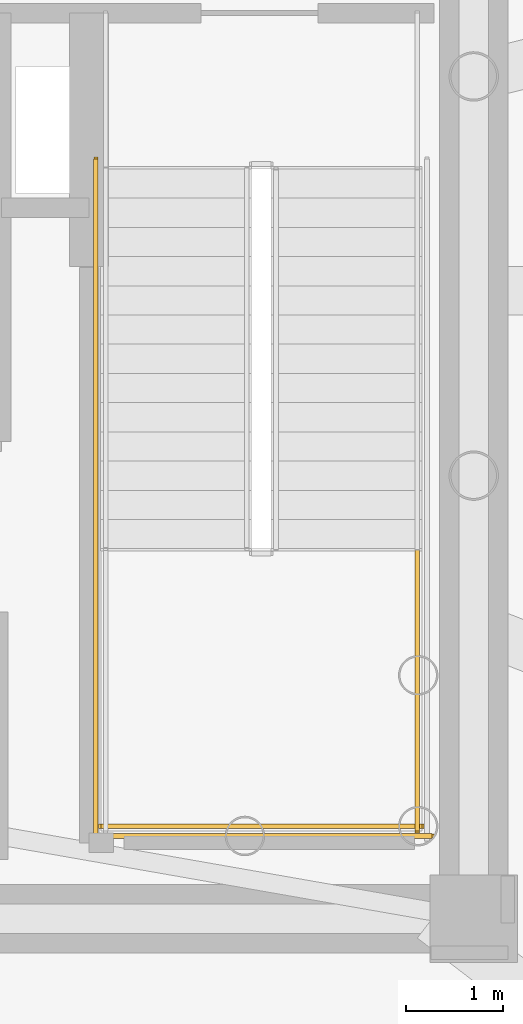
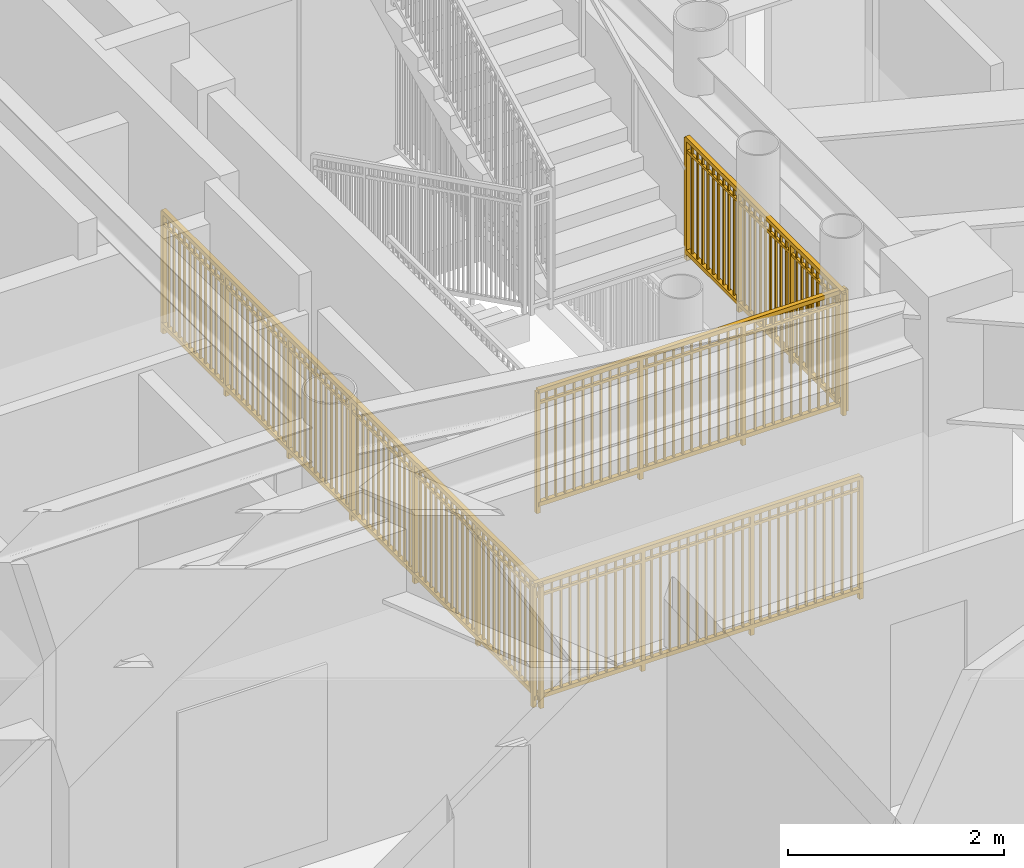
# One storey, part 21 of 26: 4 railings.
"""IFC4 building model written with IfcOpenShell, lengths in metres."""

from ifc_helpers import new_model, si_unit, direction, frame, origin, origin_2d, place, context, subcontext, project, spatial, rectangle, extrude, source, transform, mapped, material, type_object, element, save


model = new_model("IFC4")

# Units and contexts
model_context = context("Model", 3, precision=1e-05, world=origin(), true_north=direction((0.0, 1.0)))
body_context = subcontext(model_context, "Body", "Model", "MODEL_VIEW")
ifc_project = project(units=[si_unit("LENGTHUNIT", "METRE"), si_unit("AREAUNIT", "SQUARE_METRE"), si_unit("VOLUMEUNIT", "CUBIC_METRE"), si_unit("PLANEANGLEUNIT", "RADIAN"), si_unit("MASSUNIT", "GRAM", prefix="KILO")], contexts=[model_context])

# Site, building, storey
site_placement = place(None, origin())
site = spatial("IfcSite", under=ifc_project, at=site_placement, CompositionType="ELEMENT")
building_placement = place(site_placement, origin())
building = spatial("IfcBuilding", under=site, at=building_placement, Name="Linh Dai School and Residence Tower", CompositionType="ELEMENT")
storey_placement = place(building_placement, frame((0.0, 0.0, 346.800048828125)))
storey = spatial("IfcBuildingStorey", under=building, at=storey_placement, Name="L86", CompositionType="ELEMENT", Elevation=346.800048828125)

# Railings
ifc_material = material(Name="Structural Steel S355JR", Category="steel")
railing_type = type_object("IfcRailingType", Name="RL-ST-GUARD-1400", PredefinedType="GUARDRAIL", material=ifc_material)
shared_shape_1 = source(origin(), body_context, "Body", "SweptSolid", [
    extrude(rectangle(XDim=0.048095703125, YDim=0.048095703125, at=origin_2d()), frame((0.0, 0.0, 1.3759765625), z_axis=(1.0, 0.0, 0.0), x_axis=(0.0, 1.0, 0.0)), (0.0, 0.0, 1.0), 3.300048828125),
    extrude(rectangle(XDim=0.048095703125, YDim=0.048095703125, at=origin_2d()), frame((0.0, 0.0, 0.10009765625), z_axis=(1.0, 0.0, 0.0), x_axis=(0.0, 1.0, 0.0)), (0.0, 0.0, 1.0), 3.300048828125),
    extrude(rectangle(XDim=0.030029296875, YDim=0.030029296875, at=origin_2d()), frame((0.0, 0.0, 1.239990234375), z_axis=(1.0, 0.0, 0.0), x_axis=(0.0, 1.0, 0.0)), (0.0, 0.0, 1.0), 3.300048828125),
    extrude(rectangle(XDim=0.02001953125, YDim=0.02001953125, at=origin_2d()), frame((0.09716796875, 0.0, 0.10009765625)), (0.0, 0.0, 1.0), 1.251708984375),
    extrude(rectangle(XDim=0.02001953125, YDim=0.02001953125, at=origin_2d()), frame((0.194091796875, 0.0, 0.10009765625)), (0.0, 0.0, 1.0), 1.251708984375),
    extrude(rectangle(XDim=0.02001953125, YDim=0.02001953125, at=origin_2d()), frame((0.291259765625, 0.0, 0.10009765625)), (0.0, 0.0, 1.0), 1.251708984375),
    extrude(rectangle(XDim=0.02001953125, YDim=0.02001953125, at=origin_2d()), frame((0.38818359375, 0.0, 0.10009765625)), (0.0, 0.0, 1.0), 1.251708984375),
    extrude(rectangle(XDim=0.02001953125, YDim=0.02001953125, at=origin_2d()), frame((0.4853515625, 0.0, 0.10009765625)), (0.0, 0.0, 1.0), 1.251708984375),
    extrude(rectangle(XDim=0.02001953125, YDim=0.02001953125, at=origin_2d()), frame((0.582275390625, 0.0, 0.10009765625)), (0.0, 0.0, 1.0), 1.251708984375),
    extrude(rectangle(XDim=0.02001953125, YDim=0.02001953125, at=origin_2d()), frame((0.679443359375, 0.0, 0.10009765625)), (0.0, 0.0, 1.0), 1.251708984375),
    extrude(rectangle(XDim=0.02001953125, YDim=0.02001953125, at=origin_2d()), frame((0.7763671875, 0.0, 0.10009765625)), (0.0, 0.0, 1.0), 1.251708984375),
    extrude(rectangle(XDim=0.02001953125, YDim=0.02001953125, at=origin_2d()), frame((0.87353515625, 0.0, 0.10009765625)), (0.0, 0.0, 1.0), 1.251708984375),
    extrude(rectangle(XDim=0.02001953125, YDim=0.02001953125, at=origin_2d()), frame((0.970703125, 0.0, 0.10009765625)), (0.0, 0.0, 1.0), 1.251708984375),
    extrude(rectangle(XDim=0.02001953125, YDim=0.02001953125, at=origin_2d()), frame((1.164794921875, 0.0, 0.10009765625)), (0.0, 0.0, 1.0), 1.251708984375),
    extrude(rectangle(XDim=0.02001953125, YDim=0.02001953125, at=origin_2d()), frame((1.26171875, 0.0, 0.10009765625)), (0.0, 0.0, 1.0), 1.251708984375),
    extrude(rectangle(XDim=0.02001953125, YDim=0.02001953125, at=origin_2d()), frame((1.35888671875, 0.0, 0.10009765625)), (0.0, 0.0, 1.0), 1.251708984375),
    extrude(rectangle(XDim=0.02001953125, YDim=0.02001953125, at=origin_2d()), frame((1.455810546875, 0.0, 0.10009765625)), (0.0, 0.0, 1.0), 1.251708984375),
    extrude(rectangle(XDim=0.02001953125, YDim=0.02001953125, at=origin_2d()), frame((1.552978515625, 0.0, 0.10009765625)), (0.0, 0.0, 1.0), 1.251708984375),
    extrude(rectangle(XDim=0.02001953125, YDim=0.02001953125, at=origin_2d()), frame((1.64990234375, 0.0, 0.10009765625)), (0.0, 0.0, 1.0), 1.251708984375),
    extrude(rectangle(XDim=0.02001953125, YDim=0.02001953125, at=origin_2d()), frame((1.7470703125, 0.0, 0.10009765625)), (0.0, 0.0, 1.0), 1.251708984375),
    extrude(rectangle(XDim=0.02001953125, YDim=0.02001953125, at=origin_2d()), frame((1.84423828125, 0.0, 0.10009765625)), (0.0, 0.0, 1.0), 1.251708984375),
    extrude(rectangle(XDim=0.02001953125, YDim=0.02001953125, at=origin_2d()), frame((1.941162109375, 0.0, 0.10009765625)), (0.0, 0.0, 1.0), 1.251708984375),
    extrude(rectangle(XDim=0.02001953125, YDim=0.02001953125, at=origin_2d()), frame((2.038330078125, 0.0, 0.10009765625)), (0.0, 0.0, 1.0), 1.251708984375),
    extrude(rectangle(XDim=0.02001953125, YDim=0.02001953125, at=origin_2d()), frame((2.13525390625, 0.0, 0.10009765625)), (0.0, 0.0, 1.0), 1.251708984375),
    extrude(rectangle(XDim=0.02001953125, YDim=0.02001953125, at=origin_2d()), frame((2.329345703125, 0.0, 0.10009765625)), (0.0, 0.0, 1.0), 1.251708984375),
    extrude(rectangle(XDim=0.02001953125, YDim=0.02001953125, at=origin_2d()), frame((2.426513671875, 0.0, 0.10009765625)), (0.0, 0.0, 1.0), 1.251708984375),
    extrude(rectangle(XDim=0.02001953125, YDim=0.02001953125, at=origin_2d()), frame((2.523681640625, 0.0, 0.10009765625)), (0.0, 0.0, 1.0), 1.251708984375),
    extrude(rectangle(XDim=0.02001953125, YDim=0.02001953125, at=origin_2d()), frame((2.62060546875, 0.0, 0.10009765625)), (0.0, 0.0, 1.0), 1.251708984375),
    extrude(rectangle(XDim=0.02001953125, YDim=0.02001953125, at=origin_2d()), frame((2.7177734375, 0.0, 0.10009765625)), (0.0, 0.0, 1.0), 1.251708984375),
    extrude(rectangle(XDim=0.02001953125, YDim=0.02001953125, at=origin_2d()), frame((2.814697265625, 0.0, 0.10009765625)), (0.0, 0.0, 1.0), 1.251708984375),
    extrude(rectangle(XDim=0.02001953125, YDim=0.02001953125, at=origin_2d()), frame((2.911865234375, 0.0, 0.10009765625)), (0.0, 0.0, 1.0), 1.251708984375),
    extrude(rectangle(XDim=0.02001953125, YDim=0.02001953125, at=origin_2d()), frame((3.0087890625, 0.0, 0.10009765625)), (0.0, 0.0, 1.0), 1.251708984375),
    extrude(rectangle(XDim=0.02001953125, YDim=0.02001953125, at=origin_2d()), frame((3.10595703125, 0.0, 0.10009765625)), (0.0, 0.0, 1.0), 1.251708984375),
    extrude(rectangle(XDim=0.02001953125, YDim=0.02001953125, at=origin_2d()), frame((3.202880859375, 0.0, 0.10009765625)), (0.0, 0.0, 1.0), 1.251708984375),
    extrude(rectangle(XDim=0.0419921875, YDim=0.0419921875, at=origin_2d()), origin(), (0.0, 0.0, 1.0), 1.3759765625),
    extrude(rectangle(XDim=0.0419921875, YDim=0.0419921875, at=origin_2d()), frame((1.10009765625, 0.0, 0.0)), (0.0, 0.0, 1.0), 1.3759765625),
    extrude(rectangle(XDim=0.0419921875, YDim=0.0419921875, at=origin_2d()), frame((2.199951171875, 0.0, 0.0)), (0.0, 0.0, 1.0), 1.3759765625),
    extrude(rectangle(XDim=0.0419921875, YDim=0.0419921875, at=origin_2d()), frame((3.300048828125, 0.0, 0.0)), (0.0, 0.0, 1.0), 1.3759765625),
])
railing_1_placement = place(storey_placement, frame((41.02001953125, 21.5, 2.099853515625)))
element("IfcRailing", 1, at=railing_1_placement, inside=storey, type_object=railing_type, Name="L86 ST2 stair guard 5", PredefinedType="GUARDRAIL", context=body_context, shape_type="MappedRepresentation", body=[
    mapped(shared_shape_1, transform((0.0, 0.0, 0.0), x_axis=(1.0, 0.0, 0.0), y_axis=(0.0, 1.0, 0.0), z_axis=(0.0, 0.0, 1.0), scale=1.0)),
])
shared_shape_2 = source(origin(), body_context, "Body", "SweptSolid", [
    extrude(rectangle(XDim=0.048095703125, YDim=0.048095703125, at=origin_2d()), frame((0.0, 0.0, 1.3759765625), z_axis=(0.0, -1.0, 0.0), x_axis=(1.0, 0.0, 0.0)), (0.0, 0.0, 1.0), 7.0),
    extrude(rectangle(XDim=0.048095703125, YDim=0.048095703125, at=origin_2d()), frame((0.0, 0.0, 0.10009765625), z_axis=(0.0, -1.0, 0.0), x_axis=(1.0, 0.0, 0.0)), (0.0, 0.0, 1.0), 7.0),
    extrude(rectangle(XDim=0.030029296875, YDim=0.030029296875, at=origin_2d()), frame((0.0, 0.0, 1.239990234375), z_axis=(0.0, -1.0, 0.0), x_axis=(1.0, 0.0, 0.0)), (0.0, 0.0, 1.0), 7.0),
    extrude(rectangle(XDim=0.02001953125, YDim=0.02001953125, at=origin_2d()), frame((0.0, -0.09716796875, 0.10009765625)), (0.0, 0.0, 1.0), 1.251708984375),
    extrude(rectangle(XDim=0.02001953125, YDim=0.02001953125, at=origin_2d()), frame((0.0, -0.1943359375, 0.10009765625)), (0.0, 0.0, 1.0), 1.251708984375),
    extrude(rectangle(XDim=0.02001953125, YDim=0.02001953125, at=origin_2d()), frame((0.0, -0.291748046875, 0.10009765625)), (0.0, 0.0, 1.0), 1.251708984375),
    extrude(rectangle(XDim=0.02001953125, YDim=0.02001953125, at=origin_2d()), frame((0.0, -0.388916015625, 0.10009765625)), (0.0, 0.0, 1.0), 1.251708984375),
    extrude(rectangle(XDim=0.02001953125, YDim=0.02001953125, at=origin_2d()), frame((0.0, -0.486083984375, 0.10009765625)), (0.0, 0.0, 1.0), 1.251708984375),
    extrude(rectangle(XDim=0.02001953125, YDim=0.02001953125, at=origin_2d()), frame((0.0, -0.583251953125, 0.10009765625)), (0.0, 0.0, 1.0), 1.251708984375),
    extrude(rectangle(XDim=0.02001953125, YDim=0.02001953125, at=origin_2d()), frame((0.0, -0.6806640625, 0.10009765625)), (0.0, 0.0, 1.0), 1.251708984375),
    extrude(rectangle(XDim=0.02001953125, YDim=0.02001953125, at=origin_2d()), frame((0.0, -0.77783203125, 0.10009765625)), (0.0, 0.0, 1.0), 1.251708984375),
    extrude(rectangle(XDim=0.02001953125, YDim=0.02001953125, at=origin_2d()), frame((0.0, -0.875, 0.10009765625)), (0.0, 0.0, 1.0), 1.251708984375),
    extrude(rectangle(XDim=0.02001953125, YDim=0.02001953125, at=origin_2d()), frame((0.0, -0.97216796875, 0.10009765625)), (0.0, 0.0, 1.0), 1.251708984375),
    extrude(rectangle(XDim=0.02001953125, YDim=0.02001953125, at=origin_2d()), frame((0.0, -1.0693359375, 0.10009765625)), (0.0, 0.0, 1.0), 1.251708984375),
    extrude(rectangle(XDim=0.02001953125, YDim=0.02001953125, at=origin_2d()), frame((0.0, -1.263916015625, 0.10009765625)), (0.0, 0.0, 1.0), 1.251708984375),
    extrude(rectangle(XDim=0.02001953125, YDim=0.02001953125, at=origin_2d()), frame((0.0, -1.361083984375, 0.10009765625)), (0.0, 0.0, 1.0), 1.251708984375),
    extrude(rectangle(XDim=0.02001953125, YDim=0.02001953125, at=origin_2d()), frame((0.0, -1.458251953125, 0.10009765625)), (0.0, 0.0, 1.0), 1.251708984375),
    extrude(rectangle(XDim=0.02001953125, YDim=0.02001953125, at=origin_2d()), frame((0.0, -1.5556640625, 0.10009765625)), (0.0, 0.0, 1.0), 1.251708984375),
    extrude(rectangle(XDim=0.02001953125, YDim=0.02001953125, at=origin_2d()), frame((0.0, -1.65283203125, 0.10009765625)), (0.0, 0.0, 1.0), 1.251708984375),
    extrude(rectangle(XDim=0.02001953125, YDim=0.02001953125, at=origin_2d()), frame((0.0, -1.75, 0.10009765625)), (0.0, 0.0, 1.0), 1.251708984375),
    extrude(rectangle(XDim=0.02001953125, YDim=0.02001953125, at=origin_2d()), frame((0.0, -1.84716796875, 0.10009765625)), (0.0, 0.0, 1.0), 1.251708984375),
    extrude(rectangle(XDim=0.02001953125, YDim=0.02001953125, at=origin_2d()), frame((0.0, -1.9443359375, 0.10009765625)), (0.0, 0.0, 1.0), 1.251708984375),
    extrude(rectangle(XDim=0.02001953125, YDim=0.02001953125, at=origin_2d()), frame((0.0, -2.041748046875, 0.10009765625)), (0.0, 0.0, 1.0), 1.251708984375),
    extrude(rectangle(XDim=0.02001953125, YDim=0.02001953125, at=origin_2d()), frame((0.0, -2.138916015625, 0.10009765625)), (0.0, 0.0, 1.0), 1.251708984375),
    extrude(rectangle(XDim=0.02001953125, YDim=0.02001953125, at=origin_2d()), frame((0.0, -2.236083984375, 0.10009765625)), (0.0, 0.0, 1.0), 1.251708984375),
    extrude(rectangle(XDim=0.02001953125, YDim=0.02001953125, at=origin_2d()), frame((0.0, -2.4306640625, 0.10009765625)), (0.0, 0.0, 1.0), 1.251708984375),
    extrude(rectangle(XDim=0.02001953125, YDim=0.02001953125, at=origin_2d()), frame((0.0, -2.52783203125, 0.10009765625)), (0.0, 0.0, 1.0), 1.251708984375),
    extrude(rectangle(XDim=0.02001953125, YDim=0.02001953125, at=origin_2d()), frame((0.0, -2.625, 0.10009765625)), (0.0, 0.0, 1.0), 1.251708984375),
    extrude(rectangle(XDim=0.02001953125, YDim=0.02001953125, at=origin_2d()), frame((0.0, -2.72216796875, 0.10009765625)), (0.0, 0.0, 1.0), 1.251708984375),
    extrude(rectangle(XDim=0.02001953125, YDim=0.02001953125, at=origin_2d()), frame((0.0, -2.8193359375, 0.10009765625)), (0.0, 0.0, 1.0), 1.251708984375),
    extrude(rectangle(XDim=0.02001953125, YDim=0.02001953125, at=origin_2d()), frame((0.0, -2.916748046875, 0.10009765625)), (0.0, 0.0, 1.0), 1.251708984375),
    extrude(rectangle(XDim=0.02001953125, YDim=0.02001953125, at=origin_2d()), frame((0.0, -3.013916015625, 0.10009765625)), (0.0, 0.0, 1.0), 1.251708984375),
    extrude(rectangle(XDim=0.02001953125, YDim=0.02001953125, at=origin_2d()), frame((0.0, -3.111083984375, 0.10009765625)), (0.0, 0.0, 1.0), 1.251708984375),
    extrude(rectangle(XDim=0.02001953125, YDim=0.02001953125, at=origin_2d()), frame((0.0, -3.208251953125, 0.10009765625)), (0.0, 0.0, 1.0), 1.251708984375),
    extrude(rectangle(XDim=0.02001953125, YDim=0.02001953125, at=origin_2d()), frame((0.0, -3.3056640625, 0.10009765625)), (0.0, 0.0, 1.0), 1.251708984375),
    extrude(rectangle(XDim=0.02001953125, YDim=0.02001953125, at=origin_2d()), frame((0.0, -3.40283203125, 0.10009765625)), (0.0, 0.0, 1.0), 1.251708984375),
    extrude(rectangle(XDim=0.02001953125, YDim=0.02001953125, at=origin_2d()), frame((0.0, -3.59716796875, 0.10009765625)), (0.0, 0.0, 1.0), 1.251708984375),
    extrude(rectangle(XDim=0.02001953125, YDim=0.02001953125, at=origin_2d()), frame((0.0, -3.6943359375, 0.10009765625)), (0.0, 0.0, 1.0), 1.251708984375),
    extrude(rectangle(XDim=0.02001953125, YDim=0.02001953125, at=origin_2d()), frame((0.0, -3.791748046875, 0.10009765625)), (0.0, 0.0, 1.0), 1.251708984375),
    extrude(rectangle(XDim=0.02001953125, YDim=0.02001953125, at=origin_2d()), frame((0.0, -3.888916015625, 0.10009765625)), (0.0, 0.0, 1.0), 1.251708984375),
    extrude(rectangle(XDim=0.02001953125, YDim=0.02001953125, at=origin_2d()), frame((0.0, -3.986083984375, 0.10009765625)), (0.0, 0.0, 1.0), 1.251708984375),
    extrude(rectangle(XDim=0.02001953125, YDim=0.02001953125, at=origin_2d()), frame((0.0, -4.083251953125, 0.10009765625)), (0.0, 0.0, 1.0), 1.251708984375),
    extrude(rectangle(XDim=0.02001953125, YDim=0.02001953125, at=origin_2d()), frame((0.0, -4.1806640625, 0.10009765625)), (0.0, 0.0, 1.0), 1.251708984375),
    extrude(rectangle(XDim=0.02001953125, YDim=0.02001953125, at=origin_2d()), frame((0.0, -4.27783203125, 0.10009765625)), (0.0, 0.0, 1.0), 1.251708984375),
    extrude(rectangle(XDim=0.02001953125, YDim=0.02001953125, at=origin_2d()), frame((0.0, -4.375, 0.10009765625)), (0.0, 0.0, 1.0), 1.251708984375),
    extrude(rectangle(XDim=0.02001953125, YDim=0.02001953125, at=origin_2d()), frame((0.0, -4.47216796875, 0.10009765625)), (0.0, 0.0, 1.0), 1.251708984375),
    extrude(rectangle(XDim=0.02001953125, YDim=0.02001953125, at=origin_2d()), frame((0.0, -4.5693359375, 0.10009765625)), (0.0, 0.0, 1.0), 1.251708984375),
    extrude(rectangle(XDim=0.02001953125, YDim=0.02001953125, at=origin_2d()), frame((0.0, -4.763916015625, 0.10009765625)), (0.0, 0.0, 1.0), 1.251708984375),
    extrude(rectangle(XDim=0.02001953125, YDim=0.02001953125, at=origin_2d()), frame((0.0, -4.861083984375, 0.10009765625)), (0.0, 0.0, 1.0), 1.251708984375),
    extrude(rectangle(XDim=0.02001953125, YDim=0.02001953125, at=origin_2d()), frame((0.0, -4.958251953125, 0.10009765625)), (0.0, 0.0, 1.0), 1.251708984375),
    extrude(rectangle(XDim=0.02001953125, YDim=0.02001953125, at=origin_2d()), frame((0.0, -5.0556640625, 0.10009765625)), (0.0, 0.0, 1.0), 1.251708984375),
    extrude(rectangle(XDim=0.02001953125, YDim=0.02001953125, at=origin_2d()), frame((0.0, -5.15283203125, 0.10009765625)), (0.0, 0.0, 1.0), 1.251708984375),
    extrude(rectangle(XDim=0.02001953125, YDim=0.02001953125, at=origin_2d()), frame((0.0, -5.25, 0.10009765625)), (0.0, 0.0, 1.0), 1.251708984375),
    extrude(rectangle(XDim=0.02001953125, YDim=0.02001953125, at=origin_2d()), frame((0.0, -5.34716796875, 0.10009765625)), (0.0, 0.0, 1.0), 1.251708984375),
    extrude(rectangle(XDim=0.02001953125, YDim=0.02001953125, at=origin_2d()), frame((0.0, -5.4443359375, 0.10009765625)), (0.0, 0.0, 1.0), 1.251708984375),
    extrude(rectangle(XDim=0.02001953125, YDim=0.02001953125, at=origin_2d()), frame((0.0, -5.541748046875, 0.10009765625)), (0.0, 0.0, 1.0), 1.251708984375),
    extrude(rectangle(XDim=0.02001953125, YDim=0.02001953125, at=origin_2d()), frame((0.0, -5.638916015625, 0.10009765625)), (0.0, 0.0, 1.0), 1.251708984375),
    extrude(rectangle(XDim=0.02001953125, YDim=0.02001953125, at=origin_2d()), frame((0.0, -5.736083984375, 0.10009765625)), (0.0, 0.0, 1.0), 1.251708984375),
    extrude(rectangle(XDim=0.02001953125, YDim=0.02001953125, at=origin_2d()), frame((0.0, -5.9306640625, 0.10009765625)), (0.0, 0.0, 1.0), 1.251708984375),
    extrude(rectangle(XDim=0.02001953125, YDim=0.02001953125, at=origin_2d()), frame((0.0, -6.02783203125, 0.10009765625)), (0.0, 0.0, 1.0), 1.251708984375),
    extrude(rectangle(XDim=0.02001953125, YDim=0.02001953125, at=origin_2d()), frame((0.0, -6.125, 0.10009765625)), (0.0, 0.0, 1.0), 1.251708984375),
    extrude(rectangle(XDim=0.02001953125, YDim=0.02001953125, at=origin_2d()), frame((0.0, -6.22216796875, 0.10009765625)), (0.0, 0.0, 1.0), 1.251708984375),
    extrude(rectangle(XDim=0.02001953125, YDim=0.02001953125, at=origin_2d()), frame((0.0, -6.3193359375, 0.10009765625)), (0.0, 0.0, 1.0), 1.251708984375),
    extrude(rectangle(XDim=0.02001953125, YDim=0.02001953125, at=origin_2d()), frame((0.0, -6.416748046875, 0.10009765625)), (0.0, 0.0, 1.0), 1.251708984375),
    extrude(rectangle(XDim=0.02001953125, YDim=0.02001953125, at=origin_2d()), frame((0.0, -6.513916015625, 0.10009765625)), (0.0, 0.0, 1.0), 1.251708984375),
    extrude(rectangle(XDim=0.02001953125, YDim=0.02001953125, at=origin_2d()), frame((0.0, -6.611083984375, 0.10009765625)), (0.0, 0.0, 1.0), 1.251708984375),
    extrude(rectangle(XDim=0.02001953125, YDim=0.02001953125, at=origin_2d()), frame((0.0, -6.708251953125, 0.10009765625)), (0.0, 0.0, 1.0), 1.251708984375),
    extrude(rectangle(XDim=0.02001953125, YDim=0.02001953125, at=origin_2d()), frame((0.0, -6.8056640625, 0.10009765625)), (0.0, 0.0, 1.0), 1.251708984375),
    extrude(rectangle(XDim=0.02001953125, YDim=0.02001953125, at=origin_2d()), frame((0.0, -6.90283203125, 0.10009765625)), (0.0, 0.0, 1.0), 1.251708984375),
    extrude(rectangle(XDim=0.0419921875, YDim=0.0419921875, at=origin_2d()), origin(), (0.0, 0.0, 1.0), 1.3759765625),
    extrude(rectangle(XDim=0.0419921875, YDim=0.0419921875, at=origin_2d()), frame((0.0, -1.166748046875, 0.0)), (0.0, 0.0, 1.0), 1.3759765625),
    extrude(rectangle(XDim=0.0419921875, YDim=0.0419921875, at=origin_2d()), frame((0.0, -2.333251953125, 0.0)), (0.0, 0.0, 1.0), 1.3759765625),
    extrude(rectangle(XDim=0.0419921875, YDim=0.0419921875, at=origin_2d()), frame((0.0, -3.5, 0.0)), (0.0, 0.0, 1.0), 1.3759765625),
    extrude(rectangle(XDim=0.0419921875, YDim=0.0419921875, at=origin_2d()), frame((0.0, -4.666748046875, 0.0)), (0.0, 0.0, 1.0), 1.3759765625),
    extrude(rectangle(XDim=0.0419921875, YDim=0.0419921875, at=origin_2d()), frame((0.0, -5.833251953125, 0.0)), (0.0, 0.0, 1.0), 1.3759765625),
    extrude(rectangle(XDim=0.0419921875, YDim=0.0419921875, at=origin_2d()), frame((0.0, -7.0, 0.0)), (0.0, 0.0, 1.0), 1.3759765625),
])
railing_2_placement = place(storey_placement, frame((40.969970703125, 28.35009765625, 0.0)))
element("IfcRailing", 2, at=railing_2_placement, inside=storey, type_object=railing_type, Name="L86 ST2 stair guard 10", PredefinedType="GUARDRAIL", context=body_context, shape_type="MappedRepresentation", body=[
    mapped(shared_shape_2, transform((0.0, 0.0, 0.0), x_axis=(1.0, 0.0, 0.0), y_axis=(0.0, 1.0, 0.0), z_axis=(0.0, 0.0, 1.0), scale=1.0)),
])
shared_shape_3 = source(origin(), body_context, "Body", "SweptSolid", [
    extrude(rectangle(XDim=0.048095703125, YDim=0.048095703125, at=origin_2d()), frame((0.0, 0.0, 1.3759765625), z_axis=(1.0, 0.0, 0.0), x_axis=(0.0, 1.0, 0.0)), (0.0, 0.0, 1.0), 3.5),
    extrude(rectangle(XDim=0.048095703125, YDim=0.048095703125, at=origin_2d()), frame((0.0, 0.0, 0.10009765625), z_axis=(1.0, 0.0, 0.0), x_axis=(0.0, 1.0, 0.0)), (0.0, 0.0, 1.0), 3.5),
    extrude(rectangle(XDim=0.030029296875, YDim=0.030029296875, at=origin_2d()), frame((0.0, 0.0, 1.239990234375), z_axis=(1.0, 0.0, 0.0), x_axis=(0.0, 1.0, 0.0)), (0.0, 0.0, 1.0), 3.5),
    extrude(rectangle(XDim=0.02001953125, YDim=0.02001953125, at=origin_2d()), frame((0.09716796875, 0.0, 0.10009765625)), (0.0, 0.0, 1.0), 1.251708984375),
    extrude(rectangle(XDim=0.02001953125, YDim=0.02001953125, at=origin_2d()), frame((0.1943359375, 0.0, 0.10009765625)), (0.0, 0.0, 1.0), 1.251708984375),
    extrude(rectangle(XDim=0.02001953125, YDim=0.02001953125, at=origin_2d()), frame((0.291748046875, 0.0, 0.10009765625)), (0.0, 0.0, 1.0), 1.251708984375),
    extrude(rectangle(XDim=0.02001953125, YDim=0.02001953125, at=origin_2d()), frame((0.388916015625, 0.0, 0.10009765625)), (0.0, 0.0, 1.0), 1.251708984375),
    extrude(rectangle(XDim=0.02001953125, YDim=0.02001953125, at=origin_2d()), frame((0.486083984375, 0.0, 0.10009765625)), (0.0, 0.0, 1.0), 1.251708984375),
    extrude(rectangle(XDim=0.02001953125, YDim=0.02001953125, at=origin_2d()), frame((0.583251953125, 0.0, 0.10009765625)), (0.0, 0.0, 1.0), 1.251708984375),
    extrude(rectangle(XDim=0.02001953125, YDim=0.02001953125, at=origin_2d()), frame((0.6806640625, 0.0, 0.10009765625)), (0.0, 0.0, 1.0), 1.251708984375),
    extrude(rectangle(XDim=0.02001953125, YDim=0.02001953125, at=origin_2d()), frame((0.77783203125, 0.0, 0.10009765625)), (0.0, 0.0, 1.0), 1.251708984375),
    extrude(rectangle(XDim=0.02001953125, YDim=0.02001953125, at=origin_2d()), frame((0.875, 0.0, 0.10009765625)), (0.0, 0.0, 1.0), 1.251708984375),
    extrude(rectangle(XDim=0.02001953125, YDim=0.02001953125, at=origin_2d()), frame((0.97216796875, 0.0, 0.10009765625)), (0.0, 0.0, 1.0), 1.251708984375),
    extrude(rectangle(XDim=0.02001953125, YDim=0.02001953125, at=origin_2d()), frame((1.0693359375, 0.0, 0.10009765625)), (0.0, 0.0, 1.0), 1.251708984375),
    extrude(rectangle(XDim=0.02001953125, YDim=0.02001953125, at=origin_2d()), frame((1.263916015625, 0.0, 0.10009765625)), (0.0, 0.0, 1.0), 1.251708984375),
    extrude(rectangle(XDim=0.02001953125, YDim=0.02001953125, at=origin_2d()), frame((1.361083984375, 0.0, 0.10009765625)), (0.0, 0.0, 1.0), 1.251708984375),
    extrude(rectangle(XDim=0.02001953125, YDim=0.02001953125, at=origin_2d()), frame((1.458251953125, 0.0, 0.10009765625)), (0.0, 0.0, 1.0), 1.251708984375),
    extrude(rectangle(XDim=0.02001953125, YDim=0.02001953125, at=origin_2d()), frame((1.5556640625, 0.0, 0.10009765625)), (0.0, 0.0, 1.0), 1.251708984375),
    extrude(rectangle(XDim=0.02001953125, YDim=0.02001953125, at=origin_2d()), frame((1.65283203125, 0.0, 0.10009765625)), (0.0, 0.0, 1.0), 1.251708984375),
    extrude(rectangle(XDim=0.02001953125, YDim=0.02001953125, at=origin_2d()), frame((1.75, 0.0, 0.10009765625)), (0.0, 0.0, 1.0), 1.251708984375),
    extrude(rectangle(XDim=0.02001953125, YDim=0.02001953125, at=origin_2d()), frame((1.84716796875, 0.0, 0.10009765625)), (0.0, 0.0, 1.0), 1.251708984375),
    extrude(rectangle(XDim=0.02001953125, YDim=0.02001953125, at=origin_2d()), frame((1.9443359375, 0.0, 0.10009765625)), (0.0, 0.0, 1.0), 1.251708984375),
    extrude(rectangle(XDim=0.02001953125, YDim=0.02001953125, at=origin_2d()), frame((2.041748046875, 0.0, 0.10009765625)), (0.0, 0.0, 1.0), 1.251708984375),
    extrude(rectangle(XDim=0.02001953125, YDim=0.02001953125, at=origin_2d()), frame((2.138916015625, 0.0, 0.10009765625)), (0.0, 0.0, 1.0), 1.251708984375),
    extrude(rectangle(XDim=0.02001953125, YDim=0.02001953125, at=origin_2d()), frame((2.236083984375, 0.0, 0.10009765625)), (0.0, 0.0, 1.0), 1.251708984375),
    extrude(rectangle(XDim=0.02001953125, YDim=0.02001953125, at=origin_2d()), frame((2.4306640625, 0.0, 0.10009765625)), (0.0, 0.0, 1.0), 1.251708984375),
    extrude(rectangle(XDim=0.02001953125, YDim=0.02001953125, at=origin_2d()), frame((2.52783203125, 0.0, 0.10009765625)), (0.0, 0.0, 1.0), 1.251708984375),
    extrude(rectangle(XDim=0.02001953125, YDim=0.02001953125, at=origin_2d()), frame((2.625, 0.0, 0.10009765625)), (0.0, 0.0, 1.0), 1.251708984375),
    extrude(rectangle(XDim=0.02001953125, YDim=0.02001953125, at=origin_2d()), frame((2.72216796875, 0.0, 0.10009765625)), (0.0, 0.0, 1.0), 1.251708984375),
    extrude(rectangle(XDim=0.02001953125, YDim=0.02001953125, at=origin_2d()), frame((2.8193359375, 0.0, 0.10009765625)), (0.0, 0.0, 1.0), 1.251708984375),
    extrude(rectangle(XDim=0.02001953125, YDim=0.02001953125, at=origin_2d()), frame((2.916748046875, 0.0, 0.10009765625)), (0.0, 0.0, 1.0), 1.251708984375),
    extrude(rectangle(XDim=0.02001953125, YDim=0.02001953125, at=origin_2d()), frame((3.013916015625, 0.0, 0.10009765625)), (0.0, 0.0, 1.0), 1.251708984375),
    extrude(rectangle(XDim=0.02001953125, YDim=0.02001953125, at=origin_2d()), frame((3.111083984375, 0.0, 0.10009765625)), (0.0, 0.0, 1.0), 1.251708984375),
    extrude(rectangle(XDim=0.02001953125, YDim=0.02001953125, at=origin_2d()), frame((3.208251953125, 0.0, 0.10009765625)), (0.0, 0.0, 1.0), 1.251708984375),
    extrude(rectangle(XDim=0.02001953125, YDim=0.02001953125, at=origin_2d()), frame((3.3056640625, 0.0, 0.10009765625)), (0.0, 0.0, 1.0), 1.251708984375),
    extrude(rectangle(XDim=0.02001953125, YDim=0.02001953125, at=origin_2d()), frame((3.40283203125, 0.0, 0.10009765625)), (0.0, 0.0, 1.0), 1.251708984375),
    extrude(rectangle(XDim=0.0419921875, YDim=0.0419921875, at=origin_2d()), origin(), (0.0, 0.0, 1.0), 1.3759765625),
    extrude(rectangle(XDim=0.0419921875, YDim=0.0419921875, at=origin_2d()), frame((1.166748046875, 0.0, 0.0)), (0.0, 0.0, 1.0), 1.3759765625),
    extrude(rectangle(XDim=0.0419921875, YDim=0.0419921875, at=origin_2d()), frame((2.333251953125, 0.0, 0.0)), (0.0, 0.0, 1.0), 1.3759765625),
    extrude(rectangle(XDim=0.0419921875, YDim=0.0419921875, at=origin_2d()), frame((3.5, 0.0, 0.0)), (0.0, 0.0, 1.0), 1.3759765625),
])
railing_3_placement = place(storey_placement, frame((40.919921875, 21.39990234375, 0.0)))
element("IfcRailing", 3, at=railing_3_placement, inside=storey, type_object=railing_type, Name="L86 ST2 stair guard 12", PredefinedType="GUARDRAIL", context=body_context, shape_type="MappedRepresentation", body=[
    mapped(shared_shape_3, transform((0.0, 0.0, 0.0), x_axis=(1.0, 0.0, 0.0), y_axis=(0.0, 1.0, 0.0), z_axis=(0.0, 0.0, 1.0), scale=1.0)),
])
shared_shape_4 = source(origin(), body_context, "Body", "SweptSolid", [
    extrude(rectangle(XDim=0.048095703125, YDim=0.048095703125, at=origin_2d()), frame((0.0, 0.0, 1.3759765625), z_axis=(0.0, -1.0, 0.0), x_axis=(1.0, 0.0, 0.0)), (0.0, 0.0, 1.0), 2.900146484375),
    extrude(rectangle(XDim=0.048095703125, YDim=0.048095703125, at=origin_2d()), frame((0.0, 0.0, 0.10009765625), z_axis=(0.0, -1.0, 0.0), x_axis=(1.0, 0.0, 0.0)), (0.0, 0.0, 1.0), 2.900146484375),
    extrude(rectangle(XDim=0.030029296875, YDim=0.030029296875, at=origin_2d()), frame((0.0, 0.0, 1.239990234375), z_axis=(0.0, -1.0, 0.0), x_axis=(1.0, 0.0, 0.0)), (0.0, 0.0, 1.0), 2.900146484375),
    extrude(rectangle(XDim=0.02001953125, YDim=0.02001953125, at=origin_2d()), frame((0.0, -0.0966796875, 0.10009765625)), (0.0, 0.0, 1.0), 1.251708984375),
    extrude(rectangle(XDim=0.02001953125, YDim=0.02001953125, at=origin_2d()), frame((0.0, -0.193359375, 0.10009765625)), (0.0, 0.0, 1.0), 1.251708984375),
    extrude(rectangle(XDim=0.02001953125, YDim=0.02001953125, at=origin_2d()), frame((0.0, -0.2900390625, 0.10009765625)), (0.0, 0.0, 1.0), 1.251708984375),
    extrude(rectangle(XDim=0.02001953125, YDim=0.02001953125, at=origin_2d()), frame((0.0, -0.38671875, 0.10009765625)), (0.0, 0.0, 1.0), 1.251708984375),
    extrude(rectangle(XDim=0.02001953125, YDim=0.02001953125, at=origin_2d()), frame((0.0, -0.4833984375, 0.10009765625)), (0.0, 0.0, 1.0), 1.251708984375),
    extrude(rectangle(XDim=0.02001953125, YDim=0.02001953125, at=origin_2d()), frame((0.0, -0.580078125, 0.10009765625)), (0.0, 0.0, 1.0), 1.251708984375),
    extrude(rectangle(XDim=0.02001953125, YDim=0.02001953125, at=origin_2d()), frame((0.0, -0.6767578125, 0.10009765625)), (0.0, 0.0, 1.0), 1.251708984375),
    extrude(rectangle(XDim=0.02001953125, YDim=0.02001953125, at=origin_2d()), frame((0.0, -0.7734375, 0.10009765625)), (0.0, 0.0, 1.0), 1.251708984375),
    extrude(rectangle(XDim=0.02001953125, YDim=0.02001953125, at=origin_2d()), frame((0.0, -0.8701171875, 0.10009765625)), (0.0, 0.0, 1.0), 1.251708984375),
    extrude(rectangle(XDim=0.02001953125, YDim=0.02001953125, at=origin_2d()), frame((0.0, -1.0634765625, 0.10009765625)), (0.0, 0.0, 1.0), 1.251708984375),
    extrude(rectangle(XDim=0.02001953125, YDim=0.02001953125, at=origin_2d()), frame((0.0, -1.16015625, 0.10009765625)), (0.0, 0.0, 1.0), 1.251708984375),
    extrude(rectangle(XDim=0.02001953125, YDim=0.02001953125, at=origin_2d()), frame((0.0, -1.2568359375, 0.10009765625)), (0.0, 0.0, 1.0), 1.251708984375),
    extrude(rectangle(XDim=0.02001953125, YDim=0.02001953125, at=origin_2d()), frame((0.0, -1.353515625, 0.10009765625)), (0.0, 0.0, 1.0), 1.251708984375),
    extrude(rectangle(XDim=0.02001953125, YDim=0.02001953125, at=origin_2d()), frame((0.0, -1.4501953125, 0.10009765625)), (0.0, 0.0, 1.0), 1.251708984375),
    extrude(rectangle(XDim=0.02001953125, YDim=0.02001953125, at=origin_2d()), frame((0.0, -1.546630859375, 0.10009765625)), (0.0, 0.0, 1.0), 1.251708984375),
    extrude(rectangle(XDim=0.02001953125, YDim=0.02001953125, at=origin_2d()), frame((0.0, -1.643310546875, 0.10009765625)), (0.0, 0.0, 1.0), 1.251708984375),
    extrude(rectangle(XDim=0.02001953125, YDim=0.02001953125, at=origin_2d()), frame((0.0, -1.739990234375, 0.10009765625)), (0.0, 0.0, 1.0), 1.251708984375),
    extrude(rectangle(XDim=0.02001953125, YDim=0.02001953125, at=origin_2d()), frame((0.0, -1.836669921875, 0.10009765625)), (0.0, 0.0, 1.0), 1.251708984375),
    extrude(rectangle(XDim=0.02001953125, YDim=0.02001953125, at=origin_2d()), frame((0.0, -2.030029296875, 0.10009765625)), (0.0, 0.0, 1.0), 1.251708984375),
    extrude(rectangle(XDim=0.02001953125, YDim=0.02001953125, at=origin_2d()), frame((0.0, -2.126708984375, 0.10009765625)), (0.0, 0.0, 1.0), 1.251708984375),
    extrude(rectangle(XDim=0.02001953125, YDim=0.02001953125, at=origin_2d()), frame((0.0, -2.223388671875, 0.10009765625)), (0.0, 0.0, 1.0), 1.251708984375),
    extrude(rectangle(XDim=0.02001953125, YDim=0.02001953125, at=origin_2d()), frame((0.0, -2.320068359375, 0.10009765625)), (0.0, 0.0, 1.0), 1.251708984375),
    extrude(rectangle(XDim=0.02001953125, YDim=0.02001953125, at=origin_2d()), frame((0.0, -2.416748046875, 0.10009765625)), (0.0, 0.0, 1.0), 1.251708984375),
    extrude(rectangle(XDim=0.02001953125, YDim=0.02001953125, at=origin_2d()), frame((0.0, -2.513427734375, 0.10009765625)), (0.0, 0.0, 1.0), 1.251708984375),
    extrude(rectangle(XDim=0.02001953125, YDim=0.02001953125, at=origin_2d()), frame((0.0, -2.610107421875, 0.10009765625)), (0.0, 0.0, 1.0), 1.251708984375),
    extrude(rectangle(XDim=0.02001953125, YDim=0.02001953125, at=origin_2d()), frame((0.0, -2.706787109375, 0.10009765625)), (0.0, 0.0, 1.0), 1.251708984375),
    extrude(rectangle(XDim=0.02001953125, YDim=0.02001953125, at=origin_2d()), frame((0.0, -2.803466796875, 0.10009765625)), (0.0, 0.0, 1.0), 1.251708984375),
    extrude(rectangle(XDim=0.0419921875, YDim=0.0419921875, at=origin_2d()), origin(), (0.0, 0.0, 1.0), 1.3759765625),
    extrude(rectangle(XDim=0.0419921875, YDim=0.0419921875, at=origin_2d()), frame((0.0, -0.966796875, 0.0)), (0.0, 0.0, 1.0), 1.3759765625),
    extrude(rectangle(XDim=0.0419921875, YDim=0.0419921875, at=origin_2d()), frame((0.0, -1.933349609375, 0.0)), (0.0, 0.0, 1.0), 1.3759765625),
    extrude(rectangle(XDim=0.0419921875, YDim=0.0419921875, at=origin_2d()), frame((0.0, -2.900146484375, 0.0)), (0.0, 0.0, 1.0), 1.3759765625),
])
railing_4_placement = place(storey_placement, frame((44.27001953125, 24.35009765625, 2.099853515625)))
element("IfcRailing", 4, at=railing_4_placement, inside=storey, type_object=railing_type, Name="L86 ST2 stair guard 4", PredefinedType="GUARDRAIL", context=body_context, shape_type="MappedRepresentation", body=[
    mapped(shared_shape_4, transform((0.0, 0.0, 0.0), x_axis=(1.0, 0.0, 0.0), y_axis=(0.0, 1.0, 0.0), z_axis=(0.0, 0.0, 1.0), scale=1.0)),
])

save(model, "model.ifc")
